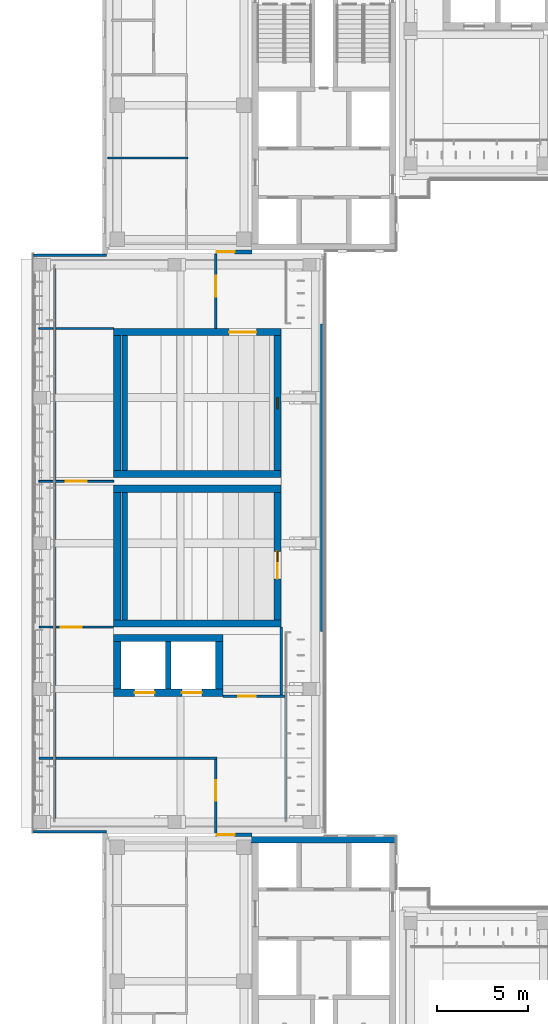
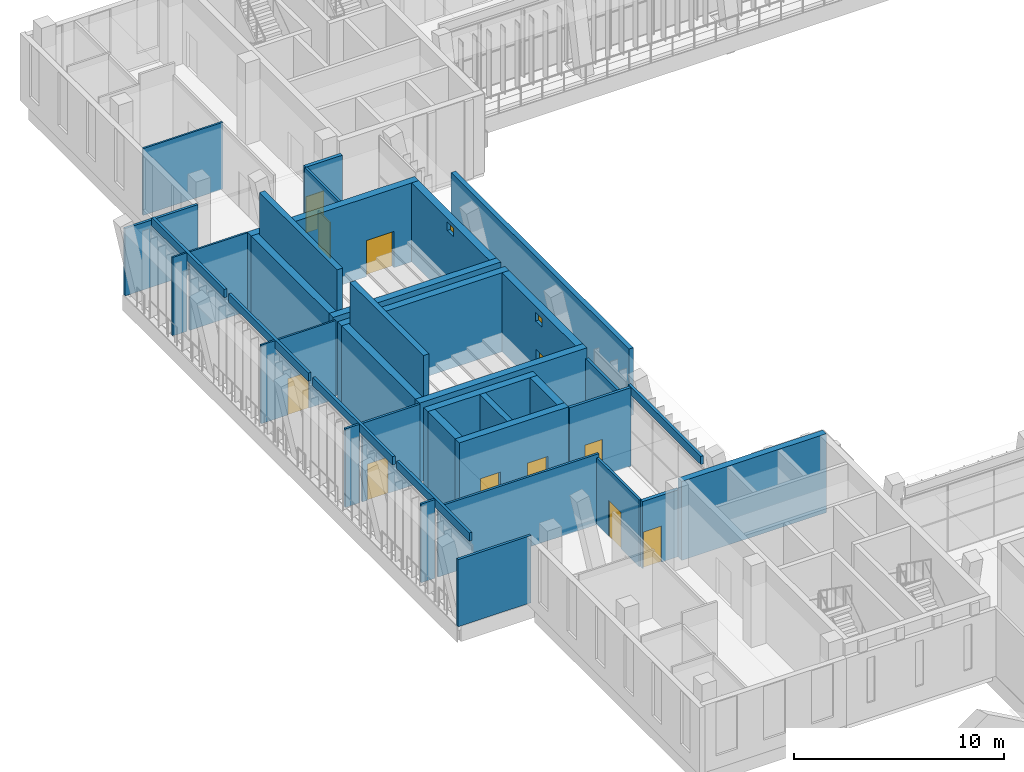
# One storey, part 46 of 74: 38 walls, 11 doors, 2 windows, 13 openings.
"""IFC4 building model written with IfcOpenShell, lengths in metres."""

from ifc_helpers import new_model, si_unit, direction, frame, frame_2d, origin, place, context, subcontext, project, spatial, rectangle, extrude, material, layer, layer_set, type_object, element, fill, save


model = new_model("IFC4")

# Units and contexts
model_context = context("Model", 3, precision=1e-05, world=origin(), true_north=direction((0.0, 1.0)))
body_context = subcontext(model_context, "Body", "Model", "MODEL_VIEW")
ifc_project = project(units=[si_unit("LENGTHUNIT", "METRE"), si_unit("AREAUNIT", "SQUARE_METRE"), si_unit("VOLUMEUNIT", "CUBIC_METRE"), si_unit("PLANEANGLEUNIT", "RADIAN"), si_unit("MASSUNIT", "GRAM", prefix="KILO")], contexts=[model_context])

# Site, building, storey
site_placement = place(None, origin())
site = spatial("IfcSite", under=ifc_project, at=site_placement, CompositionType="ELEMENT")
building_placement = place(site_placement, origin())
building = spatial("IfcBuilding", under=site, at=building_placement, Name="Lantern Court Media Centre", CompositionType="ELEMENT")
storey_placement = place(building_placement, frame((0.0, 0.0, 19.199951171875)))
storey = spatial("IfcBuildingStorey", under=building, at=storey_placement, Name="L04", CompositionType="ELEMENT", Elevation=19.199951171875)

# Wall, opening, door
ifc_material_1 = material(Name="Gypsum board partition")
ifc_layer_1 = layer(ifc_material_1, 0.125)
ifc_layer_set_1 = layer_set([ifc_layer_1], Name="Gypsum board partition")
wall_type_1 = type_object("IfcWallType", Name="Corridor partition 125", PredefinedType="PARTITIONING", material=ifc_layer_set_1)
wall_1_placement = place(storey_placement, frame((14.0, 64.10009765625, 0.0), z_axis=(0.0, 0.0, 1.0), x_axis=(0.0, 1.0, 0.0)))
wall_1 = element("IfcWall", 1, at=wall_1_placement, inside=storey, type_object=wall_type_1, Name="L04 partition 022", PredefinedType="PARTITIONING", context=body_context, shape_type="SweptSolid", body=[
    extrude(rectangle(XDim=4.037353515625, YDim=0.125, at=frame_2d((2.0185546875, 0.0))), origin(), (0.0, 0.0, 1.0), 3.880126953125),
])
opening_1_placement = place(wall_1_placement, frame((1.75, 0.0, 0.0)))
opening_1 = element("IfcOpeningElement", 2, at=opening_1_placement, cuts=wall_1, Name="Opening L04-014", PredefinedType="OPENING", context=body_context, shape_type="SweptSolid", body=[
    extrude(rectangle(XDim=1.14990234375, YDim=2.10009765625, at=frame_2d((0.574951171875, 1.050048828125))), frame((0.0, 0.072509765625, 0.0), z_axis=(0.0, -1.0, 0.0), x_axis=(1.0, 0.0, 0.0)), (0.0, 0.0, 1.0), 0.14501953125),
])
ifc_material_2 = material(Name="Solid-core timber door leaf", Category="wood")
door_type_1 = type_object("IfcDoorType", Name="Single door 1150x2100", OperationType="NOTDEFINED", PredefinedType="DOOR", material=ifc_material_2)
door_1_placement = place(opening_1_placement, origin())
door_1 = element("IfcDoor", 3, at=door_1_placement, inside=storey, type_object=door_type_1, Name="L04 Projection Room Screen 7 door", OperationType="SINGLE_SWING_LEFT", OverallHeight=2.10009765625, OverallWidth=1.14990234375, PredefinedType="DOOR", context=body_context, shape_type="SweptSolid", body=[
    extrude(rectangle(XDim=1.14990234375, YDim=2.10009765625, at=frame_2d((0.574951171875, 1.050048828125))), frame((0.0, 0.02490234375, 0.0), z_axis=(0.0, -1.0, 0.0), x_axis=(1.0, 0.0, 0.0)), (0.0, 0.0, 1.0), 0.050048828125),
])
fill(opening_1, door_1)

wall_2_placement = place(storey_placement, frame((14.0, 91.804931640625, 0.0), z_axis=(0.0, 0.0, 1.0), x_axis=(0.0, 1.0, 0.0)))
wall_2 = element("IfcWall", 4, at=wall_2_placement, inside=storey, type_object=wall_type_1, Name="L04 partition 023", PredefinedType="PARTITIONING", context=body_context, shape_type="SweptSolid", body=[
    extrude(rectangle(XDim=4.094970703125, YDim=0.125, at=frame_2d((2.04736328125, 0.0))), origin(), (0.0, 0.0, 1.0), 3.880126953125),
])
opening_2_placement = place(wall_2_placement, frame((1.7451171875, 0.0, 0.0)))
opening_2 = element("IfcOpeningElement", 5, at=opening_2_placement, cuts=wall_2, Name="Opening L04-015", PredefinedType="OPENING", context=body_context, shape_type="SweptSolid", body=[
    extrude(rectangle(XDim=1.14990234375, YDim=2.10009765625, at=frame_2d((0.574951171875, 1.050048828125))), frame((0.0, 0.072509765625, 0.0), z_axis=(0.0, -1.0, 0.0), x_axis=(1.0, 0.0, 0.0)), (0.0, 0.0, 1.0), 0.14501953125),
])
door_2_placement = place(opening_2_placement, origin())
door_2 = element("IfcDoor", 6, at=door_2_placement, inside=storey, type_object=door_type_1, Name="L04 Projection Room Screen 8 door", OperationType="SINGLE_SWING_RIGHT", OverallHeight=2.10009765625, OverallWidth=1.14990234375, PredefinedType="DOOR", context=body_context, shape_type="SweptSolid", body=[
    extrude(rectangle(XDim=1.14990234375, YDim=2.10009765625, at=frame_2d((0.574951171875, 1.050048828125))), frame((0.0, 0.02490234375, 0.0), z_axis=(0.0, -1.0, 0.0), x_axis=(1.0, 0.0, 0.0)), (0.0, 0.0, 1.0), 0.050048828125),
])
fill(opening_2, door_2)

# Walls
wall_3_placement = place(storey_placement, frame((4.300048828125, 68.199951171875, 0.0), z_axis=(0.0, 0.0, 1.0), x_axis=(1.0, 0.0, 0.0)))
element("IfcWall", 7, at=wall_3_placement, inside=storey, type_object=wall_type_1, Name="L04 partition 024", PredefinedType="PARTITIONING", context=body_context, shape_type="SweptSolid", body=[
    extrude(rectangle(XDim=0.77001953125, YDim=0.125, at=frame_2d((0.385009765625, 0.0))), origin(), (0.0, 0.0, 1.0), 4.56005859375),
])
wall_4_placement = place(storey_placement, frame((5.22998046875, 68.199951171875, 0.0), z_axis=(0.0, 0.0, 1.0), x_axis=(1.0, 0.0, 0.0)))
element("IfcWall", 8, at=wall_4_placement, inside=storey, type_object=wall_type_1, Name="L04 partition 025", PredefinedType="PARTITIONING", context=body_context, shape_type="SweptSolid", body=[
    extrude(rectangle(XDim=8.83251953125, YDim=0.125, at=frame_2d((4.416259765625, 0.0))), origin(), (0.0, 0.0, 1.0), 4.080078125),
])
wall_5_placement = place(storey_placement, frame((4.300048828125, 75.39990234375, 0.0), z_axis=(0.0, 0.0, 1.0), x_axis=(1.0, 0.0, 0.0)))
element("IfcWall", 9, at=wall_5_placement, inside=storey, type_object=wall_type_1, Name="L04 partition 031", PredefinedType="PARTITIONING", context=body_context, shape_type="SweptSolid", body=[
    extrude(rectangle(XDim=0.77001953125, YDim=0.125, at=frame_2d((0.385009765625, 0.0))), origin(), (0.0, 0.0, 1.0), 4.56005859375),
])

# Wall, opening, door
wall_6_placement = place(storey_placement, frame((5.22998046875, 75.39990234375, 0.0), z_axis=(0.0, 0.0, 1.0), x_axis=(1.0, 0.0, 0.0)))
wall_6 = element("IfcWall", 10, at=wall_6_placement, inside=storey, type_object=wall_type_1, Name="L04 partition 032", PredefinedType="PARTITIONING", context=body_context, shape_type="SweptSolid", body=[
    extrude(rectangle(XDim=3.169921875, YDim=0.125, at=frame_2d((1.5849609375, 0.0))), origin(), (0.0, 0.0, 1.0), 4.56005859375),
])
opening_3_placement = place(wall_6_placement, frame((0.27001953125, 0.0, 0.0)))
opening_3 = element("IfcOpeningElement", 11, at=opening_3_placement, cuts=wall_6, Name="Opening L04-017", PredefinedType="OPENING", context=body_context, shape_type="SweptSolid", body=[
    extrude(rectangle(XDim=1.14990234375, YDim=2.10009765625, at=frame_2d((0.574951171875, 1.050048828125))), frame((0.0, 0.072509765625, 0.0), z_axis=(0.0, -1.0, 0.0), x_axis=(1.0, 0.0, 0.0)), (0.0, 0.0, 1.0), 0.14501953125),
])
door_3_placement = place(opening_3_placement, origin())
door_3 = element("IfcDoor", 12, at=door_3_placement, inside=storey, type_object=door_type_1, Name="L04 Cinema Club Room door", OperationType="SINGLE_SWING_RIGHT", OverallHeight=2.10009765625, OverallWidth=1.14990234375, PredefinedType="DOOR", context=body_context, shape_type="SweptSolid", body=[
    extrude(rectangle(XDim=1.14990234375, YDim=2.10009765625, at=frame_2d((0.574951171875, 1.050048828125))), frame((0.0, 0.02490234375, 0.0), z_axis=(0.0, -1.0, 0.0), x_axis=(1.0, 0.0, 0.0)), (0.0, 0.0, 1.0), 0.050048828125),
])
fill(opening_3, door_3)

# Walls
ifc_material_3 = material(Name="Insulated rendered blockwork", Category="masonry")
ifc_layer_2 = layer(ifc_material_3, 0.14990234375)
ifc_layer_set_2 = layer_set([ifc_layer_2], Name="Insulated rendered blockwork")
wall_type_2 = type_object("IfcWallType", Name="Head infill wall 150", PredefinedType="SOLIDWALL", material=ifc_layer_set_2)
wall_7_placement = place(storey_placement, frame((5.14990234375, 64.89990234375, 4.10009765625), z_axis=(0.0, 0.0, 1.0), x_axis=(0.0, 1.0, 0.0)))
element("IfcWall", 13, at=wall_7_placement, inside=storey, type_object=wall_type_2, Name="Head infill wall W outer L04", PredefinedType="SOLIDWALL", context=body_context, shape_type="SweptSolid", body=[
    extrude(rectangle(XDim=6.900146484375, YDim=0.14990234375, at=frame_2d((3.4501953125, 0.0))), origin(), (0.0, 0.0, 1.0), 0.47998046875),
])
for number, where, z_axis, x_axis, name in (
    (14, (5.14990234375, 72.199951171875, 4.10009765625), (0.0, 0.0, 1.0), (0.0, 1.0, 0.0), "Head infill wall W outer L04"),
    (15, (5.14990234375, 80.199951171875, 4.10009765625), (0.0, 0.0, 1.0), (0.0, 1.0, 0.0), "Head infill wall W outer L04"),
):
    element("IfcWall", number, at=place(storey_placement, frame(where, z_axis=z_axis, x_axis=x_axis)), inside=storey, type_object=wall_type_2, Name=name, PredefinedType="SOLIDWALL", context=body_context, shape_type="SweptSolid", body=[
        extrude(rectangle(XDim=7.60009765625, YDim=0.14990234375, at=frame_2d((3.800048828125, 0.0))), origin(), (0.0, 0.0, 1.0), 0.47998046875),
    ])
for number, where, z_axis, x_axis, name in (
    (16, (5.14990234375, 88.199951171875, 4.10009765625), (0.0, 0.0, 1.0), (0.0, 1.0, 0.0), "Head infill wall W outer L04"),
    (17, (17.85009765625, 64.89990234375, 4.10009765625), (0.0, 0.0, 1.0), (0.0, 1.0, 0.0), "Head infill wall W inner L04"),
):
    element("IfcWall", number, at=place(storey_placement, frame(where, z_axis=z_axis, x_axis=x_axis)), inside=storey, type_object=wall_type_2, Name=name, PredefinedType="SOLIDWALL", context=body_context, shape_type="SweptSolid", body=[
        extrude(rectangle(XDim=6.900146484375, YDim=0.14990234375, at=frame_2d((3.4501953125, 0.0))), origin(), (0.0, 0.0, 1.0), 0.47998046875),
    ])
ifc_material_4 = material(Name="Honed limestone cladding on blockwork", Category="masonry")
ifc_layer_3 = layer(ifc_material_4, 0.139892578125)
ifc_layer_set_3 = layer_set([ifc_layer_3], Name="Honed limestone cladding on blockwork")
wall_type_3 = type_object("IfcWallType", Name="Limestone closure wall 140", PredefinedType="SOLIDWALL", material=ifc_layer_set_3)
for number, where, z_axis, x_axis, name in (
    (18, (4.0, 64.169921875, 0.0), (0.0, 0.0, 1.0), (1.0, 0.0, 0.0), "Limestone closure wall W-SW L04"),
    (19, (4.0, 95.830078125, 0.0), (0.0, 0.0, 1.0), (1.0, 0.0, 0.0), "Limestone closure wall W-NW L04"),
):
    element("IfcWall", number, at=place(storey_placement, frame(where, z_axis=z_axis, x_axis=x_axis)), inside=storey, type_object=wall_type_3, Name=name, PredefinedType="SOLIDWALL", context=body_context, shape_type="SweptSolid", body=[
        extrude(rectangle(XDim=4.0, YDim=0.139892578125, at=frame_2d((2.0, 0.0))), origin(), (0.0, 0.0, 1.0), 3.900146484375),
    ])
ifc_layer_4 = layer(ifc_material_4, 0.25)
ifc_layer_set_4 = layer_set([ifc_layer_4], Name="Honed limestone cladding on blockwork")
wall_type_4 = type_object("IfcWallType", Name="Limestone flank wall 250", PredefinedType="SOLIDWALL", material=ifc_layer_set_4)
wall_8_placement = place(storey_placement, frame((19.875, 75.14990234375, 0.0), z_axis=(0.0, 0.0, 1.0), x_axis=(0.0, 1.0, 0.0)))
element("IfcWall", 20, at=wall_8_placement, inside=storey, type_object=wall_type_4, Name="Limestone flank wall W inner L04", PredefinedType="SOLIDWALL", context=body_context, shape_type="SweptSolid", body=[
    extrude(rectangle(XDim=16.900146484375, YDim=0.25, at=frame_2d((8.4501953125, 0.0))), origin(), (0.0, 0.0, 1.0), 3.900146484375),
])

# Wall, opening, door
ifc_material_5 = material(Name="Fire-rated gypsum board")
ifc_layer_5 = layer(ifc_material_5, 0.199951171875)
ifc_layer_set_5 = layer_set([ifc_layer_5], Name="Fire-rated gypsum board")
wall_type_5 = type_object("IfcWallType", Name="Movement-joint compartment wall 200", PredefinedType="PARTITIONING", material=ifc_layer_set_5)
wall_9_placement = place(storey_placement, frame((14.0, 64.0, 0.0), z_axis=(0.0, 0.0, 1.0), x_axis=(1.0, 0.0, 0.0)))
wall_9 = element("IfcWall", 21, at=wall_9_placement, inside=storey, type_object=wall_type_5, Name="L04 movement-joint wall 15", PredefinedType="PARTITIONING", context=body_context, shape_type="SweptSolid", body=[
    extrude(rectangle(XDim=2.0, YDim=0.199951171875, at=frame_2d((1.0, 0.0))), origin(), (0.0, 0.0, 1.0), 3.880126953125),
])
opening_4_placement = place(wall_9_placement, frame((0.050048828125, 0.0, 0.0)))
opening_4 = element("IfcOpeningElement", 22, at=opening_4_placement, cuts=wall_9, Name="Opening L04-J15", PredefinedType="OPENING", context=body_context, shape_type="SweptSolid", body=[
    extrude(rectangle(XDim=1.0, YDim=2.10009765625, at=frame_2d((0.5, 1.050048828125))), frame((0.0, 0.10986328125, 0.0), z_axis=(0.0, -1.0, 0.0), x_axis=(1.0, 0.0, 0.0)), (0.0, 0.0, 1.0), 0.219970703125),
])
ifc_material_6 = material(Name="Steel door leaf", Category="steel")
door_type_2 = type_object("IfcDoorType", Name="Movement-joint fire door 1000x2100", OperationType="NOTDEFINED", PredefinedType="DOOR", material=ifc_material_6)
door_4_placement = place(opening_4_placement, frame((1.0, 0.0, 0.0), z_axis=(0.0, 0.0, 1.0), x_axis=(-1.0, 0.0, 0.0)))
door_4 = element("IfcDoor", 23, at=door_4_placement, inside=storey, type_object=door_type_2, Name="L04 bar end lobby door 15", OperationType="SINGLE_SWING_LEFT", OverallHeight=2.10009765625, OverallWidth=1.0, PredefinedType="DOOR", context=body_context, shape_type="SweptSolid", body=[
    extrude(rectangle(XDim=1.0, YDim=2.10009765625, at=frame_2d((0.5, 1.050048828125))), frame((0.0, 0.02490234375, 0.0), z_axis=(0.0, -1.0, 0.0), x_axis=(1.0, 0.0, 0.0)), (0.0, 0.0, 1.0), 0.050048828125),
])
fill(opening_4, door_4)

wall_10_placement = place(storey_placement, frame((14.0, 96.0, 0.0), z_axis=(0.0, 0.0, 1.0), x_axis=(1.0, 0.0, 0.0)))
wall_10 = element("IfcWall", 24, at=wall_10_placement, inside=storey, type_object=wall_type_5, Name="L04 movement-joint wall 16", PredefinedType="PARTITIONING", context=body_context, shape_type="SweptSolid", body=[
    extrude(rectangle(XDim=2.0, YDim=0.199951171875, at=frame_2d((1.0, 0.0))), origin(), (0.0, 0.0, 1.0), 3.880126953125),
])
opening_5_placement = place(wall_10_placement, frame((0.050048828125, 0.0, 0.0)))
opening_5 = element("IfcOpeningElement", 25, at=opening_5_placement, cuts=wall_10, Name="Opening L04-J16", PredefinedType="OPENING", context=body_context, shape_type="SweptSolid", body=[
    extrude(rectangle(XDim=1.0, YDim=2.10009765625, at=frame_2d((0.5, 1.050048828125))), frame((0.0, 0.10986328125, 0.0), z_axis=(0.0, -1.0, 0.0), x_axis=(1.0, 0.0, 0.0)), (0.0, 0.0, 1.0), 0.219970703125),
])
door_5_placement = place(opening_5_placement, origin())
door_5 = element("IfcDoor", 26, at=door_5_placement, inside=storey, type_object=door_type_2, Name="L04 bar end lobby door 16", OperationType="SINGLE_SWING_LEFT", OverallHeight=2.10009765625, OverallWidth=1.0, PredefinedType="DOOR", context=body_context, shape_type="SweptSolid", body=[
    extrude(rectangle(XDim=1.0, YDim=2.10009765625, at=frame_2d((0.5, 1.050048828125))), frame((0.0, 0.02490234375, 0.0), z_axis=(0.0, -1.0, 0.0), x_axis=(1.0, 0.0, 0.0)), (0.0, 0.0, 1.0), 0.050048828125),
])
fill(opening_5, door_5)

# Walls
ifc_layer_6 = layer(ifc_material_1, 0.10009765625)
ifc_layer_set_6 = layer_set([ifc_layer_6], Name="Gypsum board partition")
wall_type_6 = type_object("IfcWallType", Name="Partition 100", PredefinedType="PARTITIONING", material=ifc_layer_set_6)
wall_11_placement = place(storey_placement, frame((4.300048828125, 91.800048828125, 0.0), z_axis=(0.0, 0.0, 1.0), x_axis=(1.0, 0.0, 0.0)))
element("IfcWall", 27, at=wall_11_placement, inside=storey, type_object=wall_type_6, Name="L04 partition 027", PredefinedType="PARTITIONING", context=body_context, shape_type="SweptSolid", body=[
    extrude(rectangle(XDim=0.77001953125, YDim=0.10009765625, at=frame_2d((0.385009765625, 0.0))), origin(), (0.0, 0.0, 1.0), 4.56005859375),
])
wall_12_placement = place(storey_placement, frame((5.22998046875, 91.800048828125, 0.0), z_axis=(0.0, 0.0, 1.0), x_axis=(1.0, 0.0, 0.0)))
element("IfcWall", 28, at=wall_12_placement, inside=storey, type_object=wall_type_6, Name="L04 partition 028", PredefinedType="PARTITIONING", context=body_context, shape_type="SweptSolid", body=[
    extrude(rectangle(XDim=3.169921875, YDim=0.10009765625, at=frame_2d((1.5849609375, 0.0))), origin(), (0.0, 0.0, 1.0), 4.56005859375),
])
wall_13_placement = place(storey_placement, frame((8.080078125, 101.156005859375, 0.0), z_axis=(0.0, 0.0, 1.0), x_axis=(1.0, 0.0, 0.0)))
element("IfcWall", 29, at=wall_13_placement, inside=storey, type_object=wall_type_6, Name="L04 partition 056", PredefinedType="PARTITIONING", context=body_context, shape_type="SweptSolid", body=[
    extrude(rectangle(XDim=4.38232421875, YDim=0.10009765625, at=frame_2d((2.191162109375, 0.0))), origin(), (0.0, 0.0, 1.0), 3.880126953125),
])

# Wall, opening, door
wall_14_placement = place(storey_placement, frame((4.300048828125, 83.39990234375, 0.0), z_axis=(0.0, 0.0, 1.0), x_axis=(1.0, 0.0, 0.0)))
wall_14 = element("IfcWall", 30, at=wall_14_placement, inside=storey, type_object=wall_type_6, Name="L04 partition 064", PredefinedType="PARTITIONING", context=body_context, shape_type="SweptSolid", body=[
    extrude(rectangle(XDim=4.099853515625, YDim=0.10009765625, at=frame_2d((2.0498046875, 0.0))), origin(), (0.0, 0.0, 1.0), 4.56005859375),
])
opening_6_placement = place(wall_14_placement, frame((1.47509765625, 0.0, 0.0)))
opening_6 = element("IfcOpeningElement", 31, at=opening_6_placement, cuts=wall_14, Name="Opening L04-019", PredefinedType="OPENING", context=body_context, shape_type="SweptSolid", body=[
    extrude(rectangle(XDim=1.14990234375, YDim=2.10009765625, at=frame_2d((0.574951171875, 1.050048828125))), frame((0.0, 0.06005859375, 0.0), z_axis=(0.0, -1.0, 0.0), x_axis=(1.0, 0.0, 0.0)), (0.0, 0.0, 1.0), 0.1201171875),
])
door_6_placement = place(opening_6_placement, origin())
door_6 = element("IfcDoor", 32, at=door_6_placement, inside=storey, type_object=door_type_1, Name="L04 Cinema Club Room door", OperationType="SINGLE_SWING_RIGHT", OverallHeight=2.10009765625, OverallWidth=1.14990234375, PredefinedType="DOOR", context=body_context, shape_type="SweptSolid", body=[
    extrude(rectangle(XDim=1.14990234375, YDim=2.10009765625, at=frame_2d((0.574951171875, 1.050048828125))), frame((0.0, 0.02490234375, 0.0), z_axis=(0.0, -1.0, 0.0), x_axis=(1.0, 0.0, 0.0)), (0.0, 0.0, 1.0), 0.050048828125),
])
fill(opening_6, door_6)

ifc_material_7 = material(Name="Concrete blockwork C20", Category="masonry")
ifc_layer_7 = layer(ifc_material_7, 0.14990234375)
ifc_layer_set_7 = layer_set([ifc_layer_7], Name="Concrete blockwork C20")
wall_type_7 = type_object("IfcWallType", Name="Partition 150 masonry", PredefinedType="PARTITIONING", material=ifc_layer_set_7)
wall_15_placement = place(storey_placement, frame((14.39990234375, 71.60009765625, 0.0), z_axis=(0.0, 0.0, 1.0), x_axis=(1.0, 0.0, 0.0)))
wall_15 = element("IfcWall", 33, at=wall_15_placement, inside=storey, type_object=wall_type_7, Name="L04 partition 033", PredefinedType="PARTITIONING", context=body_context, shape_type="SweptSolid", body=[
    extrude(rectangle(XDim=3.375, YDim=0.14990234375, at=frame_2d((1.6875, 0.0))), origin(), (0.0, 0.0, 1.0), 4.56005859375),
])
opening_7_placement = place(wall_15_placement, frame((0.85009765625, 0.0, 0.0)))
opening_7 = element("IfcOpeningElement", 34, at=opening_7_placement, cuts=wall_15, Name="Opening L04-020", PredefinedType="OPENING", context=body_context, shape_type="SweptSolid", body=[
    extrude(rectangle(XDim=0.949951171875, YDim=2.10009765625, at=frame_2d((0.47509765625, 1.050048828125))), frame((0.0, 0.0849609375, 0.0), z_axis=(0.0, -1.0, 0.0), x_axis=(1.0, 0.0, 0.0)), (0.0, 0.0, 1.0), 0.169921875),
])
door_type_3 = type_object("IfcDoorType", Name="Accessible WC door 950x2100", OperationType="NOTDEFINED", PredefinedType="DOOR", material=ifc_material_2)
door_7_placement = place(opening_7_placement, origin())
door_7 = element("IfcDoor", 35, at=door_7_placement, inside=storey, type_object=door_type_3, Name="L04 Accessible WC door", OperationType="SINGLE_SWING_LEFT", OverallHeight=2.10009765625, OverallWidth=0.949951171875, PredefinedType="DOOR", context=body_context, shape_type="SweptSolid", body=[
    extrude(rectangle(XDim=0.949951171875, YDim=2.10009765625, at=frame_2d((0.47509765625, 1.050048828125))), frame((0.0, 0.02490234375, 0.0), z_axis=(0.0, -1.0, 0.0), x_axis=(1.0, 0.0, 0.0)), (0.0, 0.0, 1.0), 0.050048828125),
])
fill(opening_7, door_7)

# Walls
wall_16_placement = place(storey_placement, frame((17.60009765625, 71.675048828125, 0.0), z_axis=(0.0, 0.0, 1.0), x_axis=(0.0, 1.0, 0.0)))
element("IfcWall", 36, at=wall_16_placement, inside=storey, type_object=wall_type_7, Name="L04 partition 035", PredefinedType="PARTITIONING", context=body_context, shape_type="SweptSolid", body=[
    extrude(rectangle(XDim=3.724853515625, YDim=0.14990234375, at=frame_2d((1.8623046875, 0.0))), origin(), (0.0, 0.0, 1.0), 3.97998046875),
])
ifc_material_8 = material(Name="Concrete C40", Category="concrete")
ifc_layer_8 = layer(ifc_material_8, 0.35009765625)
ifc_layer_set_8 = layer_set([ifc_layer_8], Name="Concrete C40")
wall_type_8 = type_object("IfcWallType", Name="RC CORE WALL 350", PredefinedType="SHEAR", material=ifc_layer_set_8)
wall_17_placement = place(storey_placement, frame((15.949951171875, 63.72509765625, 0.0), z_axis=(0.0, 0.0, 1.0), x_axis=(1.0, 0.0, 0.0)))
element("IfcWall", 37, at=wall_17_placement, inside=storey, type_object=wall_type_8, Name="WC-SW-L04-N", PredefinedType="SHEAR", context=body_context, shape_type="SweptSolid", body=[
    extrude(rectangle(XDim=7.949951171875, YDim=0.35009765625, at=frame_2d((3.97509765625, 0.0))), origin(), (0.0, 0.0, 1.0), 4.580078125),
])
ifc_layer_9 = layer(ifc_material_8, 0.300048828125)
ifc_layer_set_9 = layer_set([ifc_layer_9], Name="Concrete C40")
wall_type_9 = type_object("IfcWallType", Name="RC SHEAR WALL 300", PredefinedType="SHEAR", material=ifc_layer_set_9)
wall_18_placement = place(storey_placement, frame((11.39990234375, 72.0, 0.0), z_axis=(0.0, 0.0, 1.0), x_axis=(0.0, 1.0, 0.0)))
element("IfcWall", 38, at=wall_18_placement, inside=storey, type_object=wall_type_9, Name="WB-W-LC-L04-D", PredefinedType="SHEAR", context=body_context, shape_type="SweptSolid", body=[
    extrude(rectangle(XDim=2.60009765625, YDim=0.300048828125, at=frame_2d((1.300048828125, 0.0))), origin(), (0.0, 0.0, 1.0), 4.580078125),
])
ifc_layer_10 = layer(ifc_material_8, 0.39990234375)
ifc_layer_set_10 = layer_set([ifc_layer_10], Name="Concrete C40")
wall_type_10 = type_object("IfcWallType", Name="RC SHEAR WALL 400", PredefinedType="SHEAR", material=ifc_layer_set_10)
for number, where, z_axis, x_axis, name in (
    (39, (8.39990234375, 75.60009765625, 0.0), (0.0, 0.0, 1.0), (1.0, 0.0, 0.0), "WB-A7-L04-S"),
    (40, (8.39990234375, 83.0, 0.0), (0.0, 0.0, 1.0), (1.0, 0.0, 0.0), "WB-A7-L04-N"),
):
    element("IfcWall", number, at=place(storey_placement, frame(where, z_axis=z_axis, x_axis=x_axis)), inside=storey, type_object=wall_type_10, Name=name, PredefinedType="SHEAR", context=body_context, shape_type="SweptSolid", body=[
        extrude(rectangle(XDim=9.2001953125, YDim=0.39990234375, at=frame_2d((4.60009765625, 0.0))), origin(), (0.0, 0.0, 1.0), 4.580078125),
    ])
wall_19_placement = place(storey_placement, frame((8.60009765625, 75.800048828125, 0.0), z_axis=(0.0, 0.0, 1.0), x_axis=(0.0, 1.0, 0.0)))
element("IfcWall", 41, at=wall_19_placement, inside=storey, type_object=wall_type_10, Name="WB-A7-L04-W", PredefinedType="SHEAR", context=body_context, shape_type="SweptSolid", body=[
    extrude(rectangle(XDim=7.0, YDim=0.39990234375, at=frame_2d((3.5, 0.0))), origin(), (0.0, 0.0, 1.0), 4.580078125),
])

# Wall, openings, window, door
wall_20_placement = place(storey_placement, frame((17.39990234375, 75.800048828125, 0.0), z_axis=(0.0, 0.0, 1.0), x_axis=(0.0, 1.0, 0.0)))
wall_20 = element("IfcWall", 42, at=wall_20_placement, inside=storey, type_object=wall_type_10, Name="WB-A7-L04-E", PredefinedType="SHEAR", context=body_context, shape_type="SweptSolid", body=[
    extrude(rectangle(XDim=7.0, YDim=0.39990234375, at=frame_2d((3.5, 0.0))), origin(), (0.0, 0.0, 1.0), 4.580078125),
])
opening_8_placement = place(wall_20_placement, frame((2.251708984375, 0.0, 0.0)))
opening_8 = element("IfcOpeningElement", 43, at=opening_8_placement, cuts=wall_20, Name="Opening L04-016", PredefinedType="OPENING", context=body_context, shape_type="SweptSolid", body=[
    extrude(rectangle(XDim=1.5, YDim=2.10009765625, at=frame_2d((0.75, 1.050048828125))), frame((0.0, 0.2099609375, 0.0), z_axis=(0.0, -1.0, 0.0), x_axis=(1.0, 0.0, 0.0)), (0.0, 0.0, 1.0), 0.419921875),
])
opening_9_placement = place(wall_20_placement, frame((3.199951171875, 0.0, 3.719970703125)))
opening_9 = element("IfcOpeningElement", 44, at=opening_9_placement, cuts=wall_20, Name="Opening WN-P", PredefinedType="OPENING", context=body_context, shape_type="SweptSolid", body=[
    extrude(rectangle(XDim=0.60009765625, YDim=0.5, at=frame_2d((0.300048828125, 0.25))), frame((0.0, 0.2099609375, 0.0), z_axis=(0.0, -1.0, 0.0), x_axis=(1.0, 0.0, 0.0)), (0.0, 0.0, 1.0), 0.419921875),
])
ifc_material_9 = material(Name="Laminated glass", Category="glass")
window_type = type_object("IfcWindowType", Name="Projection port glazing", PartitioningType="SINGLE_PANEL", PredefinedType="WINDOW", material=ifc_material_9)
window_1_placement = place(opening_9_placement, origin())
window_1 = element("IfcWindow", 45, at=window_1_placement, inside=storey, type_object=window_type, Name="Screen 7 projection port", OverallHeight=0.5, OverallWidth=0.60009765625, PartitioningType="SINGLE_PANEL", PredefinedType="WINDOW", context=body_context, shape_type="SweptSolid", body=[
    extrude(rectangle(XDim=0.60009765625, YDim=0.5, at=frame_2d((0.300048828125, 0.25))), frame((0.0, 0.030029296875, 0.0), z_axis=(0.0, -1.0, 0.0), x_axis=(1.0, 0.0, 0.0)), (0.0, 0.0, 1.0), 0.06005859375),
])
fill(opening_9, window_1)
door_type_4 = type_object("IfcDoorType", Name="Small screen double door 1500x2100", OperationType="NOTDEFINED", PredefinedType="DOOR", material=ifc_material_2)
door_8_placement = place(opening_8_placement, frame((1.5, 0.0, 0.0), z_axis=(0.0, 0.0, 1.0), x_axis=(-1.0, 0.0, 0.0)))
door_8 = element("IfcDoor", 46, at=door_8_placement, inside=storey, type_object=door_type_4, Name="L04 Screen 7 door", OperationType="SINGLE_SWING_LEFT", OverallHeight=2.10009765625, OverallWidth=1.5, PredefinedType="DOOR", context=body_context, shape_type="SweptSolid", body=[
    extrude(rectangle(XDim=1.5, YDim=2.10009765625, at=frame_2d((0.75, 1.050048828125))), frame((0.0, 0.02490234375, 0.0), z_axis=(0.0, -1.0, 0.0), x_axis=(1.0, 0.0, 0.0)), (0.0, 0.0, 1.0), 0.050048828125),
])
fill(opening_8, door_8)

# Wall
wall_21_placement = place(storey_placement, frame((8.39990234375, 83.800048828125, 0.0), z_axis=(0.0, 0.0, 1.0), x_axis=(1.0, 0.0, 0.0)))
element("IfcWall", 47, at=wall_21_placement, inside=storey, type_object=wall_type_10, Name="WB-A8-L04-S", PredefinedType="SHEAR", context=body_context, shape_type="SweptSolid", body=[
    extrude(rectangle(XDim=9.2001953125, YDim=0.39990234375, at=frame_2d((4.60009765625, 0.0))), origin(), (0.0, 0.0, 1.0), 4.580078125),
])

# Wall, opening, door
wall_22_placement = place(storey_placement, frame((8.39990234375, 91.60009765625, 0.0), z_axis=(0.0, 0.0, 1.0), x_axis=(1.0, 0.0, 0.0)))
wall_22 = element("IfcWall", 48, at=wall_22_placement, inside=storey, type_object=wall_type_10, Name="WB-A8-L04-N", PredefinedType="SHEAR", context=body_context, shape_type="SweptSolid", body=[
    extrude(rectangle(XDim=9.2001953125, YDim=0.39990234375, at=frame_2d((4.60009765625, 0.0))), origin(), (0.0, 0.0, 1.0), 4.580078125),
])
opening_10_placement = place(wall_22_placement, frame((6.336669921875, 0.0, 0.0)))
opening_10 = element("IfcOpeningElement", 49, at=opening_10_placement, cuts=wall_22, Name="Opening L04-018", PredefinedType="OPENING", context=body_context, shape_type="SweptSolid", body=[
    extrude(rectangle(XDim=1.5, YDim=2.10009765625, at=frame_2d((0.75, 1.050048828125))), frame((0.0, 0.2099609375, 0.0), z_axis=(0.0, -1.0, 0.0), x_axis=(1.0, 0.0, 0.0)), (0.0, 0.0, 1.0), 0.419921875),
])
door_9_placement = place(opening_10_placement, origin())
door_9 = element("IfcDoor", 50, at=door_9_placement, inside=storey, type_object=door_type_4, Name="L04 Screen 8 door", OperationType="SINGLE_SWING_LEFT", OverallHeight=2.10009765625, OverallWidth=1.5, PredefinedType="DOOR", context=body_context, shape_type="SweptSolid", body=[
    extrude(rectangle(XDim=1.5, YDim=2.10009765625, at=frame_2d((0.75, 1.050048828125))), frame((0.0, 0.02490234375, 0.0), z_axis=(0.0, -1.0, 0.0), x_axis=(1.0, 0.0, 0.0)), (0.0, 0.0, 1.0), 0.050048828125),
])
fill(opening_10, door_9)

# Wall
wall_23_placement = place(storey_placement, frame((8.60009765625, 84.0, 0.0), z_axis=(0.0, 0.0, 1.0), x_axis=(0.0, 1.0, 0.0)))
element("IfcWall", 51, at=wall_23_placement, inside=storey, type_object=wall_type_10, Name="WB-A8-L04-W", PredefinedType="SHEAR", context=body_context, shape_type="SweptSolid", body=[
    extrude(rectangle(XDim=7.39990234375, YDim=0.39990234375, at=frame_2d((3.699951171875, 0.0))), origin(), (0.0, 0.0, 1.0), 4.580078125),
])

# Wall, opening, window
wall_24_placement = place(storey_placement, frame((17.39990234375, 84.0, 0.0), z_axis=(0.0, 0.0, 1.0), x_axis=(0.0, 1.0, 0.0)))
wall_24 = element("IfcWall", 52, at=wall_24_placement, inside=storey, type_object=wall_type_10, Name="WB-A8-L04-E", PredefinedType="SHEAR", context=body_context, shape_type="SweptSolid", body=[
    extrude(rectangle(XDim=7.39990234375, YDim=0.39990234375, at=frame_2d((3.699951171875, 0.0))), origin(), (0.0, 0.0, 1.0), 4.580078125),
])
opening_11_placement = place(wall_24_placement, frame((3.39990234375, 0.0, 3.8798828125)))
opening_11 = element("IfcOpeningElement", 53, at=opening_11_placement, cuts=wall_24, Name="Opening WN-P", PredefinedType="OPENING", context=body_context, shape_type="SweptSolid", body=[
    extrude(rectangle(XDim=0.60009765625, YDim=0.5, at=frame_2d((0.300048828125, 0.25))), frame((0.0, 0.2099609375, 0.0), z_axis=(0.0, -1.0, 0.0), x_axis=(1.0, 0.0, 0.0)), (0.0, 0.0, 1.0), 0.419921875),
])
window_2_placement = place(opening_11_placement, origin())
window_2 = element("IfcWindow", 54, at=window_2_placement, inside=storey, type_object=window_type, Name="Screen 8 projection port", OverallHeight=0.5, OverallWidth=0.60009765625, PartitioningType="SINGLE_PANEL", PredefinedType="WINDOW", context=body_context, shape_type="SweptSolid", body=[
    extrude(rectangle(XDim=0.60009765625, YDim=0.5, at=frame_2d((0.300048828125, 0.25))), frame((0.0, 0.030029296875, 0.0), z_axis=(0.0, -1.0, 0.0), x_axis=(1.0, 0.0, 0.0)), (0.0, 0.0, 1.0), 0.06005859375),
])
fill(opening_11, window_2)

# Wall, openings, doors
wall_25_placement = place(storey_placement, frame((8.39990234375, 71.800048828125, 0.0), z_axis=(0.0, 0.0, 1.0), x_axis=(1.0, 0.0, 0.0)))
wall_25 = element("IfcWall", 55, at=wall_25_placement, inside=storey, type_object=wall_type_10, Name="WB-W-LC-L04-S", PredefinedType="SHEAR", context=body_context, shape_type="SweptSolid", body=[
    extrude(rectangle(XDim=6.0, YDim=0.39990234375, at=frame_2d((3.0, 0.0))), origin(), (0.0, 0.0, 1.0), 4.580078125),
])
opening_12_placement = place(wall_25_placement, frame((1.14990234375, 0.0, 0.0)))
opening_12 = element("IfcOpeningElement", 56, at=opening_12_placement, cuts=wall_25, Name="Opening LD-W-LCP-L04", PredefinedType="OPENING", context=body_context, shape_type="SweptSolid", body=[
    extrude(rectangle(XDim=1.10009765625, YDim=2.10009765625, at=frame_2d((0.550048828125, 1.050048828125))), frame((0.0, 0.2099609375, 0.0), z_axis=(0.0, -1.0, 0.0), x_axis=(1.0, 0.0, 0.0)), (0.0, 0.0, 1.0), 0.419921875),
])
opening_13_placement = place(wall_25_placement, frame((3.75, 0.0, 0.0)))
opening_13 = element("IfcOpeningElement", 57, at=opening_13_placement, cuts=wall_25, Name="Opening LD-W-LCS-L04", PredefinedType="OPENING", context=body_context, shape_type="SweptSolid", body=[
    extrude(rectangle(XDim=1.10009765625, YDim=2.10009765625, at=frame_2d((0.550048828125, 1.050048828125))), frame((0.0, 0.2099609375, 0.0), z_axis=(0.0, -1.0, 0.0), x_axis=(1.0, 0.0, 0.0)), (0.0, 0.0, 1.0), 0.419921875),
])
door_type_5 = type_object("IfcDoorType", Name="Lift landing door 1100x2100", OperationType="DOUBLE_DOOR_SLIDING", PredefinedType="DOOR", material=ifc_material_6)
door_10_placement = place(opening_12_placement, frame((1.10009765625, 0.0, 0.0), z_axis=(0.0, 0.0, 1.0), x_axis=(-1.0, 0.0, 0.0)))
door_10 = element("IfcDoor", 58, at=door_10_placement, inside=storey, type_object=door_type_5, Name="L04 W-LC passenger lift landing door", OperationType="DOUBLE_DOOR_SLIDING", OverallHeight=2.10009765625, OverallWidth=1.10009765625, PredefinedType="DOOR", context=body_context, shape_type="SweptSolid", body=[
    extrude(rectangle(XDim=1.10009765625, YDim=2.10009765625, at=frame_2d((0.550048828125, 1.050048828125))), frame((0.0, 0.02490234375, 0.0), z_axis=(0.0, -1.0, 0.0), x_axis=(1.0, 0.0, 0.0)), (0.0, 0.0, 1.0), 0.050048828125),
])
fill(opening_12, door_10)
door_11_placement = place(opening_13_placement, frame((1.10009765625, 0.0, 0.0), z_axis=(0.0, 0.0, 1.0), x_axis=(-1.0, 0.0, 0.0)))
door_11 = element("IfcDoor", 59, at=door_11_placement, inside=storey, type_object=door_type_5, Name="L04 W-LC service lift landing door", OperationType="DOUBLE_DOOR_SLIDING", OverallHeight=2.10009765625, OverallWidth=1.10009765625, PredefinedType="DOOR", context=body_context, shape_type="SweptSolid", body=[
    extrude(rectangle(XDim=1.10009765625, YDim=2.10009765625, at=frame_2d((0.550048828125, 1.050048828125))), frame((0.0, 0.02490234375, 0.0), z_axis=(0.0, -1.0, 0.0), x_axis=(1.0, 0.0, 0.0)), (0.0, 0.0, 1.0), 0.050048828125),
])
fill(opening_13, door_11)

# Walls
wall_26_placement = place(storey_placement, frame((8.39990234375, 74.800048828125, 0.0), z_axis=(0.0, 0.0, 1.0), x_axis=(1.0, 0.0, 0.0)))
element("IfcWall", 60, at=wall_26_placement, inside=storey, type_object=wall_type_10, Name="WB-W-LC-L04-N", PredefinedType="SHEAR", context=body_context, shape_type="SweptSolid", body=[
    extrude(rectangle(XDim=6.0, YDim=0.39990234375, at=frame_2d((3.0, 0.0))), origin(), (0.0, 0.0, 1.0), 4.580078125),
])
for number, where, z_axis, x_axis, name in (
    (61, (8.60009765625, 72.0, 0.0), (0.0, 0.0, 1.0), (0.0, 1.0, 0.0), "WB-W-LC-L04-W"),
    (62, (14.199951171875, 72.0, 0.0), (0.0, 0.0, 1.0), (0.0, 1.0, 0.0), "WB-W-LC-L04-E"),
):
    element("IfcWall", number, at=place(storey_placement, frame(where, z_axis=z_axis, x_axis=x_axis)), inside=storey, type_object=wall_type_10, Name=name, PredefinedType="SHEAR", context=body_context, shape_type="SweptSolid", body=[
        extrude(rectangle(XDim=2.60009765625, YDim=0.39990234375, at=frame_2d((1.300048828125, 0.0))), origin(), (0.0, 0.0, 1.0), 4.580078125),
    ])
ifc_material_10 = material(Name="Acoustic gypsum board")
ifc_layer_11 = layer(ifc_material_10, 0.300048828125)
ifc_layer_set_11 = layer_set([ifc_layer_11], Name="Acoustic gypsum board")
wall_type_11 = type_object("IfcWallType", Name="Screen wall 300", PredefinedType="PARTITIONING", material=ifc_layer_set_11)
wall_27_placement = place(storey_placement, frame((9.0, 75.800048828125, 0.0), z_axis=(0.0, 0.0, 1.0), x_axis=(0.0, 1.0, 0.0)))
element("IfcWall", 63, at=wall_27_placement, inside=storey, type_object=wall_type_11, Name="Screen 7 screen wall", PredefinedType="PARTITIONING", context=body_context, shape_type="SweptSolid", body=[
    extrude(rectangle(XDim=7.0, YDim=0.300048828125, at=frame_2d((3.5, 0.0))), origin(), (0.0, 0.0, 1.0), 6.949951171875),
])
wall_28_placement = place(storey_placement, frame((9.0, 84.0, 0.0), z_axis=(0.0, 0.0, 1.0), x_axis=(0.0, 1.0, 0.0)))
element("IfcWall", 64, at=wall_28_placement, inside=storey, type_object=wall_type_11, Name="Screen 8 screen wall", PredefinedType="PARTITIONING", context=body_context, shape_type="SweptSolid", body=[
    extrude(rectangle(XDim=7.39990234375, YDim=0.300048828125, at=frame_2d((3.699951171875, 0.0))), origin(), (0.0, 0.0, 1.0), 6.949951171875),
])

save(model, "model.ifc")
